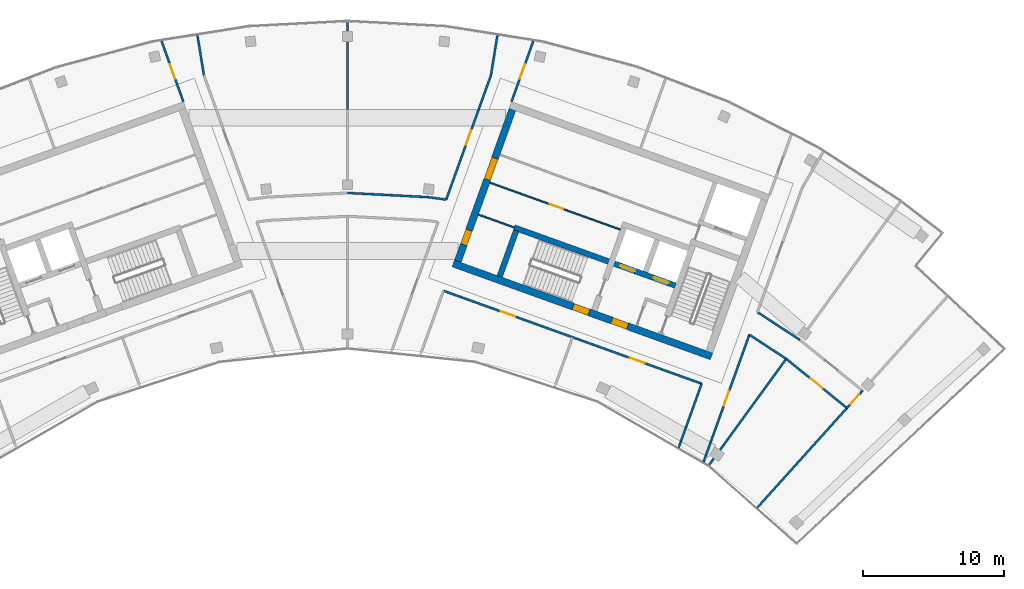
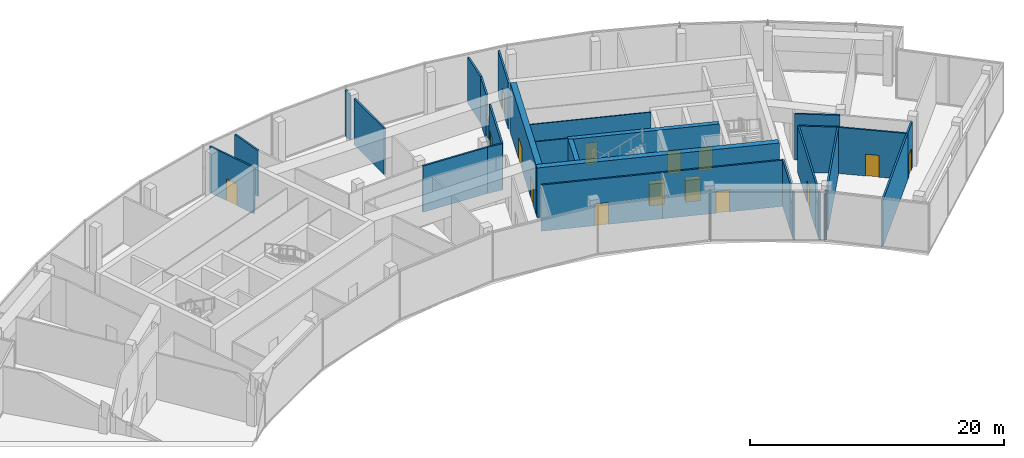
# One storey, part 14 of 17: 32 walls, 15 doors, 15 openings.
"""IFC4 building model written with IfcOpenShell, lengths in metres."""

from ifc_helpers import new_model, si_unit, direction, frame, frame_2d, origin, place, context, subcontext, project, spatial, rectangle, extrude, material, layer, layer_set, type_object, element, fill, save


model = new_model("IFC4")

# Units and contexts
model_context = context("Model", 3, precision=1e-05, world=origin(), true_north=direction((0.0, 1.0)))
body_context = subcontext(model_context, "Body", "Model", "MODEL_VIEW")
ifc_project = project(units=[si_unit("LENGTHUNIT", "METRE"), si_unit("AREAUNIT", "SQUARE_METRE"), si_unit("VOLUMEUNIT", "CUBIC_METRE"), si_unit("PLANEANGLEUNIT", "RADIAN"), si_unit("MASSUNIT", "GRAM", prefix="KILO")], contexts=[model_context])

# Site, building, storey
site_placement = place(None, origin())
site = spatial("IfcSite", under=ifc_project, at=site_placement, CompositionType="ELEMENT")
building_placement = place(site_placement, origin())
building = spatial("IfcBuilding", under=site, at=building_placement, Name="Stone Belt Terrace Tower", CompositionType="ELEMENT")
storey_placement = place(building_placement, frame((0.0, 0.0, 318.199951171875)))
storey = spatial("IfcBuildingStorey", under=building, at=storey_placement, Name="L77", CompositionType="ELEMENT", Elevation=318.199951171875)

# Wall, opening, door
ifc_material_1 = material(Name="Plasterboard partition")
ifc_layer_1 = layer(ifc_material_1, 0.10009765625)
ifc_layer_set_1 = layer_set([ifc_layer_1], Name="Core partition 100")
wall_type_1 = type_object("IfcWallType", Name="Core partition 100", PredefinedType="PARTITIONING", material=ifc_layer_set_1)
wall_1_placement = place(storey_placement, frame((19.29052734375, 51.829833984375, 0.0), z_axis=(0.0, 0.0, 1.0), x_axis=(-0.940925833398, 0.338612722803, 0.0)))
wall_1 = element("IfcWall", 1, at=wall_1_placement, inside=storey, type_object=wall_type_1, Name="Core B wall", PredefinedType="PARTITIONING", context=body_context, shape_type="SweptSolid", body=[
    extrude(rectangle(XDim=9.7998046875, YDim=0.10009765625, at=frame_2d((4.89990234375, 0.0))), origin(), (0.0, 0.0, 1.0), 4.449951171875),
])
opening_1_placement = place(wall_1_placement, frame((4.300048828125, 0.0, 0.0)))
opening_1 = element("IfcOpeningElement", 2, at=opening_1_placement, cuts=wall_1, Name="Opening L77-C12", PredefinedType="OPENING", context=body_context, shape_type="SweptSolid", body=[
    extrude(rectangle(XDim=1.0, YDim=2.10009765625, at=frame_2d((0.5, 1.050048828125))), frame((0.0, 0.06005859375, 0.0), z_axis=(0.0, -1.0, 0.0), x_axis=(1.0, 0.0, 0.0)), (0.0, 0.0, 1.0), 0.1201171875),
])
ifc_material_2 = material(Name="Timber door leaf", Category="wood")
door_type_1 = type_object("IfcDoorType", Name="Core room door 1000", OperationType="SINGLE_SWING_LEFT", PredefinedType="DOOR", material=ifc_material_2)
door_1_placement = place(opening_1_placement, origin())
door_1 = element("IfcDoor", 3, at=door_1_placement, inside=storey, type_object=door_type_1, Name="Door to Ventilation plant room core B", OperationType="SINGLE_SWING_RIGHT", OverallHeight=2.10009765625, OverallWidth=1.0, PredefinedType="DOOR", context=body_context, shape_type="SweptSolid", body=[
    extrude(rectangle(XDim=1.0, YDim=2.10009765625, at=frame_2d((0.5, 1.050048828125))), frame((0.0, 0.02490234375, 0.0), z_axis=(0.0, -1.0, 0.0), x_axis=(1.0, 0.0, 0.0)), (0.0, 0.0, 1.0), 0.050048828125),
])
fill(opening_1, door_1)

# Wall
wall_2_placement = place(storey_placement, frame((11.797119140625, 51.975830078125, 0.0), z_axis=(0.0, 0.0, 1.0), x_axis=(-0.940910465161, 0.33865542451, 0.0)))
element("IfcWall", 4, at=wall_2_placement, inside=storey, type_object=wall_type_1, Name="Core B wall", PredefinedType="PARTITIONING", context=body_context, shape_type="SweptSolid", body=[
    extrude(rectangle(XDim=2.69970703125, YDim=0.10009765625, at=frame_2d((1.349853515625, 0.0))), origin(), (0.0, 0.0, 1.0), 4.449951171875),
])

# Wall, openings, doors
ifc_material_3 = material(Name="Concrete B60", Category="concrete")
ifc_layer_2 = layer(ifc_material_3, 0.5)
ifc_layer_set_2 = layer_set([ifc_layer_2], Name="Core wall 500 B60")
wall_type_2 = type_object("IfcWallType", Name="Core wall 500 B60", PredefinedType="SHEAR", material=ifc_layer_set_2)
wall_3_placement = place(storey_placement, frame((7.482666015625, 49.43701171875, 0.0), z_axis=(0.0, 0.0, 1.0), x_axis=(0.940917407757, -0.338636134781, 0.0)))
wall_3 = element("IfcWall", 5, at=wall_3_placement, inside=storey, type_object=wall_type_2, Name="Core B wall concave L77", PredefinedType="SHEAR", context=body_context, shape_type="SweptSolid", body=[
    extrude(rectangle(XDim=19.400146484375, YDim=0.5, at=frame_2d((9.7001953125, 0.0))), origin(), (0.0, 0.0, 1.0), 4.800048828125),
])
opening_2_placement = place(wall_3_placement, frame((11.89990234375, 0.0, 0.0)))
opening_2 = element("IfcOpeningElement", 6, at=opening_2_placement, cuts=wall_3, Name="Opening L77-C17", PredefinedType="OPENING", context=body_context, shape_type="SweptSolid", body=[
    extrude(rectangle(XDim=1.199951171875, YDim=2.10009765625, at=frame_2d((0.60009765625, 1.050048828125))), frame((0.0, 0.260009765625, 0.0), z_axis=(0.0, -1.0, 0.0), x_axis=(1.0, 0.0, 0.0)), (0.0, 0.0, 1.0), 0.52001953125),
])
opening_3_placement = place(wall_3_placement, frame((9.0, 0.0, 0.0)))
opening_3 = element("IfcOpeningElement", 7, at=opening_3_placement, cuts=wall_3, Name="Opening L77-C19", PredefinedType="OPENING", context=body_context, shape_type="SweptSolid", body=[
    extrude(rectangle(XDim=1.199951171875, YDim=2.10009765625, at=frame_2d((0.60009765625, 1.050048828125))), frame((0.0, 0.260009765625, 0.0), z_axis=(0.0, -1.0, 0.0), x_axis=(1.0, 0.0, 0.0)), (0.0, 0.0, 1.0), 0.52001953125),
])
ifc_material_4 = material(Name="Steel door leaf", Category="steel")
door_type_2 = type_object("IfcDoorType", Name="Fire-fighting lobby door 1200", OperationType="SINGLE_SWING_LEFT", PredefinedType="DOOR", material=ifc_material_4)
door_2_placement = place(opening_2_placement, origin())
door_2 = element("IfcDoor", 8, at=door_2_placement, inside=storey, type_object=door_type_2, Name="Fire-fighting lobby door core B", OperationType="SINGLE_SWING_RIGHT", OverallHeight=2.10009765625, OverallWidth=1.199951171875, PredefinedType="DOOR", context=body_context, shape_type="SweptSolid", body=[
    extrude(rectangle(XDim=1.199951171875, YDim=2.10009765625, at=frame_2d((0.60009765625, 1.050048828125))), frame((0.0, 0.22998046875, 0.0), z_axis=(0.0, -1.0, 0.0), x_axis=(1.0, 0.0, 0.0)), (0.0, 0.0, 1.0), 0.4599609375),
])
fill(opening_2, door_2)
door_type_3 = type_object("IfcDoorType", Name="Stair door 1200", OperationType="SINGLE_SWING_LEFT", PredefinedType="DOOR", material=ifc_material_4)
door_3_placement = place(opening_3_placement, origin())
door_3 = element("IfcDoor", 9, at=door_3_placement, inside=storey, type_object=door_type_3, Name="Stair 2 exit door core B", OperationType="SINGLE_SWING_LEFT", OverallHeight=2.10009765625, OverallWidth=1.199951171875, PredefinedType="DOOR", context=body_context, shape_type="SweptSolid", body=[
    extrude(rectangle(XDim=1.199951171875, YDim=2.10009765625, at=frame_2d((0.60009765625, 1.050048828125))), frame((0.0, 0.22998046875, 0.0), z_axis=(0.0, -1.0, 0.0), x_axis=(1.0, 0.0, 0.0)), (0.0, 0.0, 1.0), 0.4599609375),
])
fill(opening_3, door_3)

wall_4_placement = place(storey_placement, frame((7.802490234375, 49.58740234375, 0.0), z_axis=(0.0, 0.0, 1.0), x_axis=(0.338625431531, 0.940921259788, 0.0)))
wall_4 = element("IfcWall", 10, at=wall_4_placement, inside=storey, type_object=wall_type_2, Name="Core B wall end_a L77", PredefinedType="SHEAR", context=body_context, shape_type="SweptSolid", body=[
    extrude(rectangle(XDim=11.400146484375, YDim=0.5, at=frame_2d((5.7001953125, 0.0))), origin(), (0.0, 0.0, 1.0), 4.800048828125),
])
opening_4_placement = place(wall_4_placement, frame((6.14990234375, 0.0, 0.0)))
opening_4 = element("IfcOpeningElement", 11, at=opening_4_placement, cuts=wall_4, Name="Opening L77-C14", PredefinedType="OPENING", context=body_context, shape_type="SweptSolid", body=[
    extrude(rectangle(XDim=1.60009765625, YDim=2.10009765625, at=frame_2d((0.800048828125, 1.050048828125))), frame((0.0, 0.260009765625, 0.0), z_axis=(0.0, -1.0, 0.0), x_axis=(1.0, 0.0, 0.0)), (0.0, 0.0, 1.0), 0.52001953125),
])
opening_5_placement = place(wall_4_placement, frame((1.25, 0.0, 0.0)))
opening_5 = element("IfcOpeningElement", 12, at=opening_5_placement, cuts=wall_4, Name="Opening L77-C20", PredefinedType="OPENING", context=body_context, shape_type="SweptSolid", body=[
    extrude(rectangle(XDim=1.10009765625, YDim=2.10009765625, at=frame_2d((0.550048828125, 1.050048828125))), frame((0.0, 0.260009765625, 0.0), z_axis=(0.0, -1.0, 0.0), x_axis=(1.0, 0.0, 0.0)), (0.0, 0.0, 1.0), 0.52001953125),
])
door_type_4 = type_object("IfcDoorType", Name="Core room door 1100", OperationType="SINGLE_SWING_LEFT", PredefinedType="DOOR", material=ifc_material_2)
door_4_placement = place(opening_5_placement, origin())
door_4 = element("IfcDoor", 13, at=door_4_placement, inside=storey, type_object=door_type_4, Name="Door to Mechanical plant room core B", OperationType="SINGLE_SWING_RIGHT", OverallHeight=2.10009765625, OverallWidth=1.10009765625, PredefinedType="DOOR", context=body_context, shape_type="SweptSolid", body=[
    extrude(rectangle(XDim=1.10009765625, YDim=2.10009765625, at=frame_2d((0.550048828125, 1.050048828125))), frame((0.0, 0.22998046875, 0.0), z_axis=(0.0, -1.0, 0.0), x_axis=(1.0, 0.0, 0.0)), (0.0, 0.0, 1.0), 0.4599609375),
])
fill(opening_5, door_4)
ifc_material_5 = material(Name="Glazed aluminium door leaf", Category="aluminium")
door_type_5 = type_object("IfcDoorType", Name="Lift lobby entrance door 1600", OperationType="DOUBLE_DOOR_SINGLE_SWING", PredefinedType="DOOR", material=ifc_material_5)
door_5_placement = place(opening_4_placement, origin())
door_5 = element("IfcDoor", 14, at=door_5_placement, inside=storey, type_object=door_type_5, Name="Lift lobby entrance door core B", OperationType="DOUBLE_DOOR_SINGLE_SWING", OverallHeight=2.10009765625, OverallWidth=1.60009765625, PredefinedType="DOOR", context=body_context, shape_type="SweptSolid", body=[
    extrude(rectangle(XDim=1.60009765625, YDim=2.10009765625, at=frame_2d((0.800048828125, 1.050048828125))), frame((0.0, 0.22998046875, 0.0), z_axis=(0.0, -1.0, 0.0), x_axis=(1.0, 0.0, 0.0)), (0.0, 0.0, 1.0), 0.4599609375),
])
fill(opening_4, door_5)

# Wall, opening, door
ifc_material_6 = material(Name="Gypsum board partition")
ifc_layer_3 = layer(ifc_material_6, 0.14990234375)
ifc_layer_set_3 = layer_set([ifc_layer_3], Name="PARTITION 150 EI 60")
wall_type_3 = type_object("IfcWallType", Name="PARTITION 150 EI 60", PredefinedType="PARTITIONING", material=ifc_layer_set_3)
wall_5_placement = place(storey_placement, frame((-11.596923828125, 60.868896484375, 0.0), z_axis=(0.0, 0.0, 1.0), x_axis=(-0.338658709295, 0.940909282885, 0.0)))
wall_5 = element("IfcWall", 15, at=wall_5_placement, inside=storey, type_object=wall_type_3, Name="L77/wall/i007", PredefinedType="PARTITIONING", context=body_context, shape_type="SweptSolid", body=[
    extrude(rectangle(XDim=4.55322265625, YDim=0.14990234375, at=frame_2d((2.276611328125, 0.0))), origin(), (0.0, 0.0, 1.0), 4.449951171875),
])
opening_6_placement = place(wall_5_placement, frame((1.7265625, 0.0, 0.0)))
opening_6 = element("IfcOpeningElement", 16, at=opening_6_placement, cuts=wall_5, Name="Opening D-C77-04", PredefinedType="OPENING", context=body_context, shape_type="SweptSolid", body=[
    extrude(rectangle(XDim=1.10009765625, YDim=2.10009765625, at=frame_2d((0.550048828125, 1.050048828125))), frame((0.0, 0.0849609375, 0.0), z_axis=(0.0, -1.0, 0.0), x_axis=(1.0, 0.0, 0.0)), (0.0, 0.0, 1.0), 0.169921875),
])
ifc_material_7 = material(Name="Steel fire door set", Category="steel")
door_type_6 = type_object("IfcDoorType", Name="SERVICE ROOM DOOR 1100 X 2100", OperationType="NOTDEFINED", PredefinedType="DOOR", material=ifc_material_7)
door_6_placement = place(opening_6_placement, origin())
door_6 = element("IfcDoor", 17, at=door_6_placement, inside=storey, type_object=door_type_6, Name="L77/door/i04", OperationType="SINGLE_SWING_RIGHT", OverallHeight=2.10009765625, OverallWidth=1.10009765625, PredefinedType="DOOR", context=body_context, shape_type="SweptSolid", body=[
    extrude(rectangle(XDim=1.10009765625, YDim=2.10009765625, at=frame_2d((0.550048828125, 1.050048828125))), frame((0.0, 0.02490234375, 0.0), z_axis=(0.0, -1.0, 0.0), x_axis=(1.0, 0.0, 0.0)), (0.0, 0.0, 1.0), 0.050048828125),
])
fill(opening_6, door_6)

# Wall
wall_6_placement = place(storey_placement, frame((-10.60107421875, 65.556640625, 0.0), z_axis=(0.0, 0.0, 1.0), x_axis=(0.159832307323, -0.987144180723, 0.0)))
element("IfcWall", 18, at=wall_6_placement, inside=storey, type_object=wall_type_3, Name="L77/wall/i009", PredefinedType="PARTITIONING", context=body_context, shape_type="SweptSolid", body=[
    extrude(rectangle(XDim=2.853271484375, YDim=0.14990234375, at=frame_2d((1.4267578125, 0.0))), origin(), (0.0, 0.0, 1.0), 4.449951171875),
])

# Wall, opening, door
wall_7_placement = place(storey_placement, frame((13.138916015625, 65.153076171875, 0.0), z_axis=(0.0, 0.0, 1.0), x_axis=(-0.338658709295, -0.940909282885, 0.0)))
wall_7 = element("IfcWall", 19, at=wall_7_placement, inside=storey, type_object=wall_type_3, Name="L77/wall/i016", PredefinedType="PARTITIONING", context=body_context, shape_type="SweptSolid", body=[
    extrude(rectangle(XDim=4.55322265625, YDim=0.14990234375, at=frame_2d((2.276611328125, 0.0))), origin(), (0.0, 0.0, 1.0), 4.449951171875),
])
opening_7_placement = place(wall_7_placement, frame((1.7265625, 0.0, 0.0)))
opening_7 = element("IfcOpeningElement", 20, at=opening_7_placement, cuts=wall_7, Name="Opening D-C77-07", PredefinedType="OPENING", context=body_context, shape_type="SweptSolid", body=[
    extrude(rectangle(XDim=1.10009765625, YDim=2.10009765625, at=frame_2d((0.550048828125, 1.050048828125))), frame((0.0, 0.0849609375, 0.0), z_axis=(0.0, -1.0, 0.0), x_axis=(1.0, 0.0, 0.0)), (0.0, 0.0, 1.0), 0.169921875),
])
door_7_placement = place(opening_7_placement, origin())
door_7 = element("IfcDoor", 21, at=door_7_placement, inside=storey, type_object=door_type_6, Name="L77/door/i07", OperationType="SINGLE_SWING_RIGHT", OverallHeight=2.10009765625, OverallWidth=1.10009765625, PredefinedType="DOOR", context=body_context, shape_type="SweptSolid", body=[
    extrude(rectangle(XDim=1.10009765625, YDim=2.10009765625, at=frame_2d((0.550048828125, 1.050048828125))), frame((0.0, 0.02490234375, 0.0), z_axis=(0.0, -1.0, 0.0), x_axis=(1.0, 0.0, 0.0)), (0.0, 0.0, 1.0), 0.050048828125),
])
fill(opening_7, door_7)

wall_8_placement = place(storey_placement, frame((6.98095703125, 53.947998046875, 0.0), z_axis=(0.0, 0.0, 1.0), x_axis=(0.338667511383, 0.940906114729, 0.0)))
wall_8 = element("IfcWall", 22, at=wall_8_placement, inside=storey, type_object=wall_type_3, Name="L77/wall/i018-1", PredefinedType="PARTITIONING", context=body_context, shape_type="SweptSolid", body=[
    extrude(rectangle(XDim=5.490966796875, YDim=0.14990234375, at=frame_2d((2.74560546875, 0.0))), origin(), (0.0, 0.0, 1.0), 4.449951171875),
])
opening_8_placement = place(wall_8_placement, frame((4.12158203125, 0.0, 0.0)))
opening_8 = element("IfcOpeningElement", 23, at=opening_8_placement, cuts=wall_8, Name="Opening D-C77-22", PredefinedType="OPENING", context=body_context, shape_type="SweptSolid", body=[
    extrude(rectangle(XDim=1.10009765625, YDim=2.10009765625, at=frame_2d((0.550048828125, 1.050048828125))), frame((0.0, 0.0849609375, 0.0), z_axis=(0.0, -1.0, 0.0), x_axis=(1.0, 0.0, 0.0)), (0.0, 0.0, 1.0), 0.169921875),
])
door_8_placement = place(opening_8_placement, origin())
door_8 = element("IfcDoor", 24, at=door_8_placement, inside=storey, type_object=door_type_6, Name="L77/door/i22", OperationType="SINGLE_SWING_LEFT", OverallHeight=2.10009765625, OverallWidth=1.10009765625, PredefinedType="DOOR", context=body_context, shape_type="SweptSolid", body=[
    extrude(rectangle(XDim=1.10009765625, YDim=2.10009765625, at=frame_2d((0.550048828125, 1.050048828125))), frame((0.0, 0.02490234375, 0.0), z_axis=(0.0, -1.0, 0.0), x_axis=(1.0, 0.0, 0.0)), (0.0, 0.0, 1.0), 0.050048828125),
])
fill(opening_8, door_8)

# Walls
wall_9_placement = place(storey_placement, frame((8.840576171875, 59.114501953125, 0.0), z_axis=(0.0, 0.0, 1.0), x_axis=(0.338615426018, 0.940924860583, 0.0)))
element("IfcWall", 25, at=wall_9_placement, inside=storey, type_object=wall_type_3, Name="L77/wall/i018-2", PredefinedType="PARTITIONING", context=body_context, shape_type="SweptSolid", body=[
    extrude(rectangle(XDim=1.32958984375, YDim=0.14990234375, at=frame_2d((0.664794921875, 0.0))), origin(), (0.0, 0.0, 1.0), 2.449951171875),
])
wall_10_placement = place(storey_placement, frame((9.290771484375, 60.365478515625, 0.0), z_axis=(0.0, 0.0, 1.0), x_axis=(0.338640643118, 0.940915785195, 0.0)))
element("IfcWall", 26, at=wall_10_placement, inside=storey, type_object=wall_type_3, Name="L77/wall/i018-3", PredefinedType="PARTITIONING", context=body_context, shape_type="SweptSolid", body=[
    extrude(rectangle(XDim=2.5224609375, YDim=0.14990234375, at=frame_2d((1.26123046875, 0.0))), origin(), (0.0, 0.0, 1.0), 4.449951171875),
])
wall_11_placement = place(storey_placement, frame((10.14501953125, 62.739990234375, 0.0), z_axis=(0.0, 0.0, 1.0), x_axis=(0.159832307323, 0.987144180723, 0.0)))
element("IfcWall", 27, at=wall_11_placement, inside=storey, type_object=wall_type_3, Name="L77/wall/i019", PredefinedType="PARTITIONING", context=body_context, shape_type="SweptSolid", body=[
    extrude(rectangle(XDim=2.853271484375, YDim=0.14990234375, at=frame_2d((1.4267578125, 0.0))), origin(), (0.0, 0.0, 1.0), 4.449951171875),
])
wall_12_placement = place(storey_placement, frame((23.419677734375, 36.432861328125, 0.0), z_axis=(0.0, 0.0, 1.0), x_axis=(0.338440281966, 0.940987872155, 0.0)))
element("IfcWall", 28, at=wall_12_placement, inside=storey, type_object=wall_type_3, Name="L77/wall/i020-1", PredefinedType="PARTITIONING", context=body_context, shape_type="SweptSolid", body=[
    extrude(rectangle(XDim=0.43359375, YDim=0.14990234375, at=frame_2d((0.216796875, 0.0))), origin(), (0.0, 0.0, 1.0), 4.449951171875),
])
wall_13_placement = place(storey_placement, frame((23.56640625, 36.8408203125, 0.0), z_axis=(0.0, 0.0, 1.0), x_axis=(0.338752627674, 0.940875473824, 0.0)))
element("IfcWall", 29, at=wall_13_placement, inside=storey, type_object=wall_type_3, Name="L77/wall/i020-2", PredefinedType="PARTITIONING", context=body_context, shape_type="SweptSolid", body=[
    extrude(rectangle(XDim=1.04296875, YDim=0.14990234375, at=frame_2d((0.521484375, 0.0))), origin(), (0.0, 0.0, 1.0), 3.050048828125),
])
wall_14_placement = place(storey_placement, frame((23.919677734375, 37.822021484375, 0.0), z_axis=(0.0, 0.0, 1.0), x_axis=(0.338711654555, 0.94089022477, 0.0)))
element("IfcWall", 30, at=wall_14_placement, inside=storey, type_object=wall_type_3, Name="L77/wall/i020-3", PredefinedType="PARTITIONING", context=body_context, shape_type="SweptSolid", body=[
    extrude(rectangle(XDim=3.3193359375, YDim=0.14990234375, at=frame_2d((1.65966796875, 0.0))), origin(), (0.0, 0.0, 1.0), 4.449951171875),
])

# Wall, opening, door
wall_15_placement = place(storey_placement, frame((28.416015625, 44.407958984375, 0.0), z_axis=(0.0, 0.0, 1.0), x_axis=(-0.338684156547, -0.940900123341, 0.0)))
wall_15 = element("IfcWall", 31, at=wall_15_placement, inside=storey, type_object=wall_type_3, Name="L77/wall/i022-1", PredefinedType="PARTITIONING", context=body_context, shape_type="SweptSolid", body=[
    extrude(rectangle(XDim=8.079345703125, YDim=0.14990234375, at=frame_2d((4.03955078125, 0.0))), origin(), (0.0, 0.0, 1.0), 4.449951171875),
])
opening_9_placement = place(wall_15_placement, frame((4.22802734375, 0.0, 0.0)))
opening_9 = element("IfcOpeningElement", 32, at=opening_9_placement, cuts=wall_15, Name="Opening D-C77-15", PredefinedType="OPENING", context=body_context, shape_type="SweptSolid", body=[
    extrude(rectangle(XDim=1.10009765625, YDim=2.10009765625, at=frame_2d((0.550048828125, 1.050048828125))), frame((0.0, 0.0849609375, 0.0), z_axis=(0.0, -1.0, 0.0), x_axis=(1.0, 0.0, 0.0)), (0.0, 0.0, 1.0), 0.169921875),
])
door_9_placement = place(opening_9_placement, origin())
door_9 = element("IfcDoor", 33, at=door_9_placement, inside=storey, type_object=door_type_6, Name="L77/door/i15", OperationType="SINGLE_SWING_RIGHT", OverallHeight=2.10009765625, OverallWidth=1.10009765625, PredefinedType="DOOR", context=body_context, shape_type="SweptSolid", body=[
    extrude(rectangle(XDim=1.10009765625, YDim=2.10009765625, at=frame_2d((0.550048828125, 1.050048828125))), frame((0.0, 0.02490234375, 0.0), z_axis=(0.0, -1.0, 0.0), x_axis=(1.0, 0.0, 0.0)), (0.0, 0.0, 1.0), 0.050048828125),
])
fill(opening_9, door_9)

# Walls
wall_16_placement = place(storey_placement, frame((25.6796875, 36.80615234375, 0.0), z_axis=(0.0, 0.0, 1.0), x_axis=(-0.338678027557, -0.940902329495, 0.0)))
element("IfcWall", 34, at=wall_16_placement, inside=storey, type_object=wall_type_3, Name="L77/wall/i022-2", PredefinedType="PARTITIONING", context=body_context, shape_type="SweptSolid", body=[
    extrude(rectangle(XDim=1.04296875, YDim=0.14990234375, at=frame_2d((0.521484375, 0.0))), origin(), (0.0, 0.0, 1.0), 3.050048828125),
])
wall_17_placement = place(storey_placement, frame((25.326416015625, 35.82470703125, 0.0), z_axis=(0.0, 0.0, 1.0), x_axis=(-0.338440281966, -0.940987872155, 0.0)))
element("IfcWall", 35, at=wall_17_placement, inside=storey, type_object=wall_type_3, Name="L77/wall/i022-3", PredefinedType="PARTITIONING", context=body_context, shape_type="SweptSolid", body=[
    extrude(rectangle(XDim=0.43359375, YDim=0.14990234375, at=frame_2d((0.216796875, 0.0))), origin(), (0.0, 0.0, 1.0), 4.449951171875),
])

# Wall, opening, door
wall_18_placement = place(storey_placement, frame((15.9208984375, 44.221923828125, 0.0), z_axis=(0.0, 0.0, 1.0), x_axis=(-0.940942551854, 0.33856626251, 0.0)))
wall_18 = element("IfcWall", 36, at=wall_18_placement, inside=storey, type_object=wall_type_3, Name="L77/wall/i025", PredefinedType="PARTITIONING", context=body_context, shape_type="SweptSolid", body=[
    extrude(rectangle(XDim=9.7060546875, YDim=0.14990234375, at=frame_2d((4.85302734375, 0.0))), origin(), (0.0, 0.0, 1.0), 4.449951171875),
])
opening_10_placement = place(wall_18_placement, frame((4.302978515625, 0.0, 0.0)))
opening_10 = element("IfcOpeningElement", 37, at=opening_10_placement, cuts=wall_18, Name="Opening D-C77-05", PredefinedType="OPENING", context=body_context, shape_type="SweptSolid", body=[
    extrude(rectangle(XDim=1.10009765625, YDim=2.10009765625, at=frame_2d((0.550048828125, 1.050048828125))), frame((0.0, 0.0849609375, 0.0), z_axis=(0.0, -1.0, 0.0), x_axis=(1.0, 0.0, 0.0)), (0.0, 0.0, 1.0), 0.169921875),
])
door_10_placement = place(opening_10_placement, origin())
door_10 = element("IfcDoor", 38, at=door_10_placement, inside=storey, type_object=door_type_6, Name="L77/door/i05", OperationType="SINGLE_SWING_RIGHT", OverallHeight=2.10009765625, OverallWidth=1.10009765625, PredefinedType="DOOR", context=body_context, shape_type="SweptSolid", body=[
    extrude(rectangle(XDim=1.10009765625, YDim=2.10009765625, at=frame_2d((0.550048828125, 1.050048828125))), frame((0.0, 0.02490234375, 0.0), z_axis=(0.0, -1.0, 0.0), x_axis=(1.0, 0.0, 0.0)), (0.0, 0.0, 1.0), 0.050048828125),
])
fill(opening_10, door_10)

wall_19_placement = place(storey_placement, frame((25.0419921875, 40.93896484375, 0.0), z_axis=(0.0, 0.0, 1.0), x_axis=(-0.940945435026, 0.338558249498, 0.0)))
wall_19 = element("IfcWall", 39, at=wall_19_placement, inside=storey, type_object=wall_type_3, Name="L77/wall/i026", PredefinedType="PARTITIONING", context=body_context, shape_type="SweptSolid", body=[
    extrude(rectangle(XDim=9.706298828125, YDim=0.14990234375, at=frame_2d((4.85302734375, 0.0))), origin(), (0.0, 0.0, 1.0), 4.449951171875),
])
opening_11_placement = place(wall_19_placement, frame((4.302978515625, 0.0, 0.0)))
opening_11 = element("IfcOpeningElement", 40, at=opening_11_placement, cuts=wall_19, Name="Opening D-C77-06", PredefinedType="OPENING", context=body_context, shape_type="SweptSolid", body=[
    extrude(rectangle(XDim=1.10009765625, YDim=2.10009765625, at=frame_2d((0.550048828125, 1.050048828125))), frame((0.0, 0.0849609375, 0.0), z_axis=(0.0, -1.0, 0.0), x_axis=(1.0, 0.0, 0.0)), (0.0, 0.0, 1.0), 0.169921875),
])
door_11_placement = place(opening_11_placement, origin())
door_11 = element("IfcDoor", 41, at=door_11_placement, inside=storey, type_object=door_type_6, Name="L77/door/i06", OperationType="SINGLE_SWING_LEFT", OverallHeight=2.10009765625, OverallWidth=1.10009765625, PredefinedType="DOOR", context=body_context, shape_type="SweptSolid", body=[
    extrude(rectangle(XDim=1.10009765625, YDim=2.10009765625, at=frame_2d((0.550048828125, 1.050048828125))), frame((0.0, 0.02490234375, 0.0), z_axis=(0.0, -1.0, 0.0), x_axis=(1.0, 0.0, 0.0)), (0.0, 0.0, 1.0), 0.050048828125),
])
fill(opening_11, door_11)

wall_20_placement = place(storey_placement, frame((36.422119140625, 40.448974609375, 0.0), z_axis=(0.0, 0.0, 1.0), x_axis=(-0.669191970187, -0.743089568651, 0.0)))
wall_20 = element("IfcWall", 42, at=wall_20_placement, inside=storey, type_object=wall_type_3, Name="L77/wall/i039", PredefinedType="PARTITIONING", context=body_context, shape_type="SweptSolid", body=[
    extrude(rectangle(XDim=1.661865234375, YDim=0.14990234375, at=frame_2d((0.8310546875, 0.0))), origin(), (0.0, 0.0, 1.0), 4.449951171875),
])
opening_12_placement = place(wall_20_placement, frame((0.380859375, 0.0, 0.0)))
opening_12 = element("IfcOpeningElement", 43, at=opening_12_placement, cuts=wall_20, Name="Opening D-C77-14", PredefinedType="OPENING", context=body_context, shape_type="SweptSolid", body=[
    extrude(rectangle(XDim=0.89990234375, YDim=2.10009765625, at=frame_2d((0.449951171875, 1.050048828125))), frame((0.0, 0.0849609375, 0.0), z_axis=(0.0, -1.0, 0.0), x_axis=(1.0, 0.0, 0.0)), (0.0, 0.0, 1.0), 0.169921875),
])
door_type_7 = type_object("IfcDoorType", Name="SERVICE ROOM DOOR 900 X 2100", OperationType="NOTDEFINED", PredefinedType="DOOR", material=ifc_material_7)
door_12_placement = place(opening_12_placement, origin())
door_12 = element("IfcDoor", 44, at=door_12_placement, inside=storey, type_object=door_type_7, Name="L77/door/i14", OperationType="SINGLE_SWING_RIGHT", OverallHeight=2.10009765625, OverallWidth=0.89990234375, PredefinedType="DOOR", context=body_context, shape_type="SweptSolid", body=[
    extrude(rectangle(XDim=0.89990234375, YDim=2.10009765625, at=frame_2d((0.449951171875, 1.050048828125))), frame((0.0, 0.02490234375, 0.0), z_axis=(0.0, -1.0, 0.0), x_axis=(1.0, 0.0, 0.0)), (0.0, 0.0, 1.0), 0.050048828125),
])
fill(opening_12, door_12)

# Walls
wall_21_placement = place(storey_placement, frame((28.97802734375, 32.182373046875, 0.0), z_axis=(0.0, 0.0, 1.0), x_axis=(0.669104250509, 0.743168555545, 0.0)))
element("IfcWall", 45, at=wall_21_placement, inside=storey, type_object=wall_type_3, Name="L77/wall/i040", PredefinedType="PARTITIONING", context=body_context, shape_type="SweptSolid", body=[
    extrude(rectangle(XDim=9.4736328125, YDim=0.14990234375, at=frame_2d((4.73681640625, 0.0))), origin(), (0.0, 0.0, 1.0), 4.449951171875),
])
wall_22_placement = place(storey_placement, frame((31.02001953125, 42.696044921875, 0.0), z_axis=(0.0, 0.0, 1.0), x_axis=(-0.83665188287, 0.547734996955, 0.0)))
element("IfcWall", 46, at=wall_22_placement, inside=storey, type_object=wall_type_3, Name="L77/wall/i042", PredefinedType="PARTITIONING", context=body_context, shape_type="SweptSolid", body=[
    extrude(rectangle(XDim=3.11474609375, YDim=0.14990234375, at=frame_2d((1.557373046875, 0.0))), origin(), (0.0, 0.0, 1.0), 4.449951171875),
])

# Wall, opening, door
wall_23_placement = place(storey_placement, frame((35.31298828125, 39.218994140625, 0.0), z_axis=(0.0, 0.0, 1.0), x_axis=(-0.777086357318, 0.629393988906, 0.0)))
wall_23 = element("IfcWall", 47, at=wall_23_placement, inside=storey, type_object=wall_type_3, Name="L77/wall/i043", PredefinedType="PARTITIONING", context=body_context, shape_type="SweptSolid", body=[
    extrude(rectangle(XDim=5.5244140625, YDim=0.14990234375, at=frame_2d((2.76220703125, 0.0))), origin(), (0.0, 0.0, 1.0), 4.449951171875),
])
opening_13_placement = place(wall_23_placement, frame((2.212158203125, 0.0, 0.0)))
opening_13 = element("IfcOpeningElement", 48, at=opening_13_placement, cuts=wall_23, Name="Opening D-C77-16", PredefinedType="OPENING", context=body_context, shape_type="SweptSolid", body=[
    extrude(rectangle(XDim=1.10009765625, YDim=2.10009765625, at=frame_2d((0.550048828125, 1.050048828125))), frame((0.0, 0.0849609375, 0.0), z_axis=(0.0, -1.0, 0.0), x_axis=(1.0, 0.0, 0.0)), (0.0, 0.0, 1.0), 0.169921875),
])
door_13_placement = place(opening_13_placement, origin())
door_13 = element("IfcDoor", 49, at=door_13_placement, inside=storey, type_object=door_type_6, Name="L77/door/i16", OperationType="SINGLE_SWING_RIGHT", OverallHeight=2.10009765625, OverallWidth=1.10009765625, PredefinedType="DOOR", context=body_context, shape_type="SweptSolid", body=[
    extrude(rectangle(XDim=1.10009765625, YDim=2.10009765625, at=frame_2d((0.550048828125, 1.050048828125))), frame((0.0, 0.02490234375, 0.0), z_axis=(0.0, -1.0, 0.0), x_axis=(1.0, 0.0, 0.0)), (0.0, 0.0, 1.0), 0.050048828125),
])
fill(opening_13, door_13)

# Walls
wall_24_placement = place(storey_placement, frame((28.988037109375, 45.99609375, 0.0), z_axis=(0.0, 0.0, 1.0), x_axis=(0.836679406756, -0.547692952584, 0.0)))
element("IfcWall", 50, at=wall_24_placement, inside=storey, type_object=wall_type_3, Name="L77/wall/i044", PredefinedType="PARTITIONING", context=body_context, shape_type="SweptSolid", body=[
    extrude(rectangle(XDim=3.587890625, YDim=0.14990234375, at=frame_2d((1.7939453125, 0.0))), origin(), (0.0, 0.0, 1.0), 4.449951171875),
])
wall_25_placement = place(storey_placement, frame((31.02001953125, 42.696044921875, 0.0), z_axis=(0.0, 0.0, 1.0), x_axis=(-0.587819224362, -0.808992311132, 0.0)))
element("IfcWall", 51, at=wall_25_placement, inside=storey, type_object=wall_type_3, Name="L77/wall/i046", PredefinedType="PARTITIONING", context=body_context, shape_type="SweptSolid", body=[
    extrude(rectangle(XDim=7.949951171875, YDim=0.14990234375, at=frame_2d((3.97509765625, 0.0))), origin(), (0.0, 0.0, 1.0), 4.449951171875),
])
wall_26_placement = place(storey_placement, frame((25.900146484375, 35.64990234375, 0.0), z_axis=(0.0, 0.0, 1.0), x_axis=(-0.587966030763, -0.808885620263, 0.0)))
element("IfcWall", 52, at=wall_26_placement, inside=storey, type_object=wall_type_3, Name="L77/wall/i047", PredefinedType="PARTITIONING", context=body_context, shape_type="SweptSolid", body=[
    extrude(rectangle(XDim=0.564697265625, YDim=0.14990234375, at=frame_2d((0.2822265625, 0.0))), origin(), (0.0, 0.0, 1.0), 4.449951171875),
])
wall_27_placement = place(storey_placement, frame((0.0, 54.425048828125, 0.0), z_axis=(0.0, 0.0, 1.0), x_axis=(0.998629996285, -0.052327148977, 0.0)))
element("IfcWall", 53, at=wall_27_placement, inside=storey, type_object=wall_type_3, Name="L77/wall/i055", PredefinedType="PARTITIONING", context=body_context, shape_type="SweptSolid", body=[
    extrude(rectangle(XDim=5.69677734375, YDim=0.14990234375, at=frame_2d((2.848388671875, 0.0))), origin(), (0.0, 0.0, 1.0), 4.449951171875),
])
wall_28_placement = place(storey_placement, frame((5.68896484375, 54.126953125, 0.0), z_axis=(0.0, 0.0, 1.0), x_axis=(0.991195203511, -0.132408717752, 0.0)))
element("IfcWall", 54, at=wall_28_placement, inside=storey, type_object=wall_type_3, Name="L77/wall/i056", PredefinedType="PARTITIONING", context=body_context, shape_type="SweptSolid", body=[
    extrude(rectangle(XDim=1.305419921875, YDim=0.14990234375, at=frame_2d((0.65283203125, 0.0))), origin(), (0.0, 0.0, 1.0), 4.449951171875),
])
wall_29_placement = place(storey_placement, frame((0.0, 66.5, 0.0), z_axis=(0.0, 0.0, 1.0), x_axis=(0.0, -1.0, 0.0)))
element("IfcWall", 55, at=wall_29_placement, inside=storey, type_object=wall_type_3, Name="L77/wall/i059", PredefinedType="PARTITIONING", context=body_context, shape_type="SweptSolid", body=[
    extrude(rectangle(XDim=0.631103515625, YDim=0.14990234375, at=frame_2d((0.3154296875, 0.0))), origin(), (0.0, 0.0, 1.0), 4.449951171875),
])
wall_30_placement = place(storey_placement, frame((0.0, 65.10888671875, 0.0), z_axis=(0.0, 0.0, 1.0), x_axis=(0.0, -1.0, 0.0)))
element("IfcWall", 56, at=wall_30_placement, inside=storey, type_object=wall_type_3, Name="L77/wall/i060-1", PredefinedType="PARTITIONING", context=body_context, shape_type="SweptSolid", body=[
    extrude(rectangle(XDim=4.768798828125, YDim=0.14990234375, at=frame_2d((2.38427734375, 0.0))), origin(), (0.0, 0.0, 1.0), 4.449951171875),
])

# Wall, openings, doors
ifc_material_8 = material(Name="Concrete B80", Category="concrete")
ifc_layer_4 = layer(ifc_material_8, 0.39990234375)
ifc_layer_set_4 = layer_set([ifc_layer_4], Name="Stair enclosure wall 400")
wall_type_4 = type_object("IfcWallType", Name="Stair enclosure wall 400", PredefinedType="SHEAR", material=ifc_layer_set_4)
wall_31_placement = place(storey_placement, frame((23.182373046875, 47.87841796875, 0.0), z_axis=(0.0, 0.0, 1.0), x_axis=(-0.940921101762, 0.338625870628, 0.0)))
wall_31 = element("IfcWall", 57, at=wall_31_placement, inside=storey, type_object=wall_type_4, Name="Core B wall", PredefinedType="SHEAR", context=body_context, shape_type="SweptSolid", body=[
    extrude(rectangle(XDim=12.10009765625, YDim=0.39990234375, at=frame_2d((6.050048828125, 0.0))), origin(), (0.0, 0.0, 1.0), 4.449951171875),
])
opening_14_placement = place(wall_31_placement, frame((0.52001953125, 0.0, 0.0)))
opening_14 = element("IfcOpeningElement", 58, at=opening_14_placement, cuts=wall_31, Name="Opening L77-LD04", PredefinedType="OPENING", context=body_context, shape_type="SweptSolid", body=[
    extrude(rectangle(XDim=1.10009765625, YDim=2.199951171875, at=frame_2d((0.550048828125, 1.10009765625))), frame((0.0, 0.2099609375, 0.0), z_axis=(0.0, -1.0, 0.0), x_axis=(1.0, 0.0, 0.0)), (0.0, 0.0, 1.0), 0.419921875),
])
opening_15_placement = place(wall_31_placement, frame((3.02001953125, 0.0, 0.0)))
opening_15 = element("IfcOpeningElement", 59, at=opening_15_placement, cuts=wall_31, Name="Opening L77-LD05", PredefinedType="OPENING", context=body_context, shape_type="SweptSolid", body=[
    extrude(rectangle(XDim=1.10009765625, YDim=2.199951171875, at=frame_2d((0.550048828125, 1.10009765625))), frame((0.0, 0.2099609375, 0.0), z_axis=(0.0, -1.0, 0.0), x_axis=(1.0, 0.0, 0.0)), (0.0, 0.0, 1.0), 0.419921875),
])
ifc_material_9 = material(Name="Stainless steel door leaf", Category="steel")
door_type_8 = type_object("IfcDoorType", Name="Landing door 1100", OperationType="SLIDING_TO_LEFT", PredefinedType="DOOR", material=ifc_material_9)
door_14_placement = place(opening_14_placement, origin())
door_14 = element("IfcDoor", 60, at=door_14_placement, inside=storey, type_object=door_type_8, Name="Landing door FF1 core B", OperationType="SLIDING_TO_LEFT", OverallHeight=2.199951171875, OverallWidth=1.10009765625, PredefinedType="DOOR", context=body_context, shape_type="SweptSolid", body=[
    extrude(rectangle(XDim=1.10009765625, YDim=2.199951171875, at=frame_2d((0.550048828125, 1.10009765625))), frame((0.0, 0.02490234375, 0.0), z_axis=(0.0, -1.0, 0.0), x_axis=(1.0, 0.0, 0.0)), (0.0, 0.0, 1.0), 0.050048828125),
])
fill(opening_14, door_14)
door_15_placement = place(opening_15_placement, origin())
door_15 = element("IfcDoor", 61, at=door_15_placement, inside=storey, type_object=door_type_8, Name="Landing door FF2 core B", OperationType="SLIDING_TO_LEFT", OverallHeight=2.199951171875, OverallWidth=1.10009765625, PredefinedType="DOOR", context=body_context, shape_type="SweptSolid", body=[
    extrude(rectangle(XDim=1.10009765625, YDim=2.199951171875, at=frame_2d((0.550048828125, 1.10009765625))), frame((0.0, 0.02490234375, 0.0), z_axis=(0.0, -1.0, 0.0), x_axis=(1.0, 0.0, 0.0)), (0.0, 0.0, 1.0), 0.050048828125),
])
fill(opening_15, door_15)

# Wall
wall_32_placement = place(storey_placement, frame((10.766357421875, 48.520751953125, 0.0), z_axis=(0.0, 0.0, 1.0), x_axis=(0.338621735342, 0.94092258999, 0.0)))
element("IfcWall", 62, at=wall_32_placement, inside=storey, type_object=wall_type_4, Name="Core B wall", PredefinedType="SHEAR", context=body_context, shape_type="SweptSolid", body=[
    extrude(rectangle(XDim=3.449951171875, YDim=0.39990234375, at=frame_2d((1.72509765625, 0.0))), origin(), (0.0, 0.0, 1.0), 4.449951171875),
])

save(model, "model.ifc")
